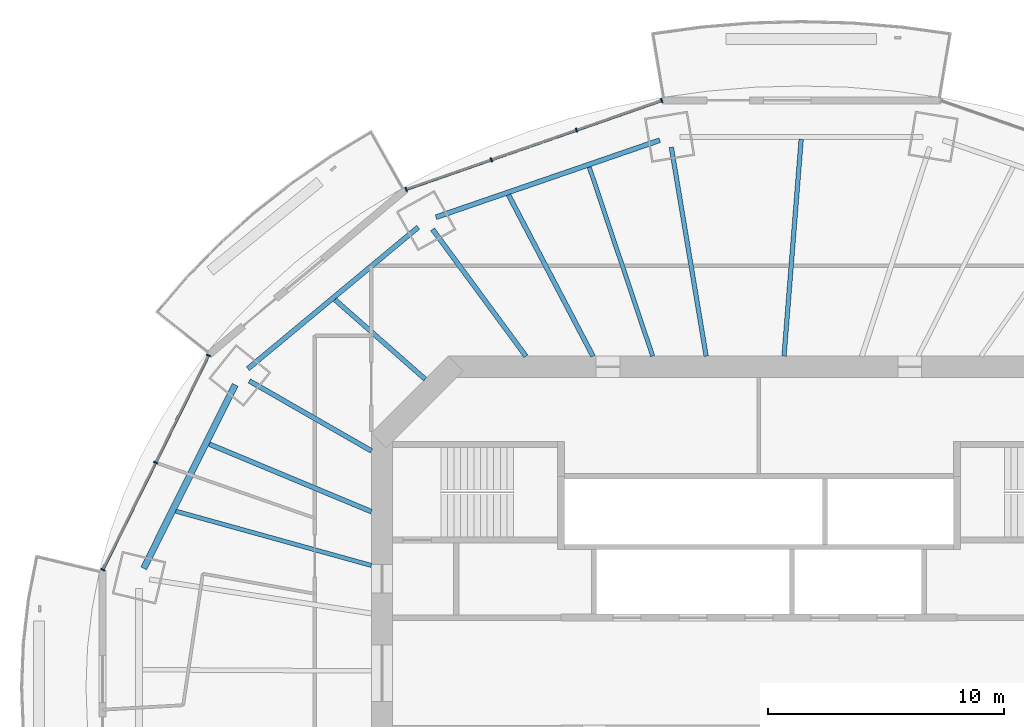
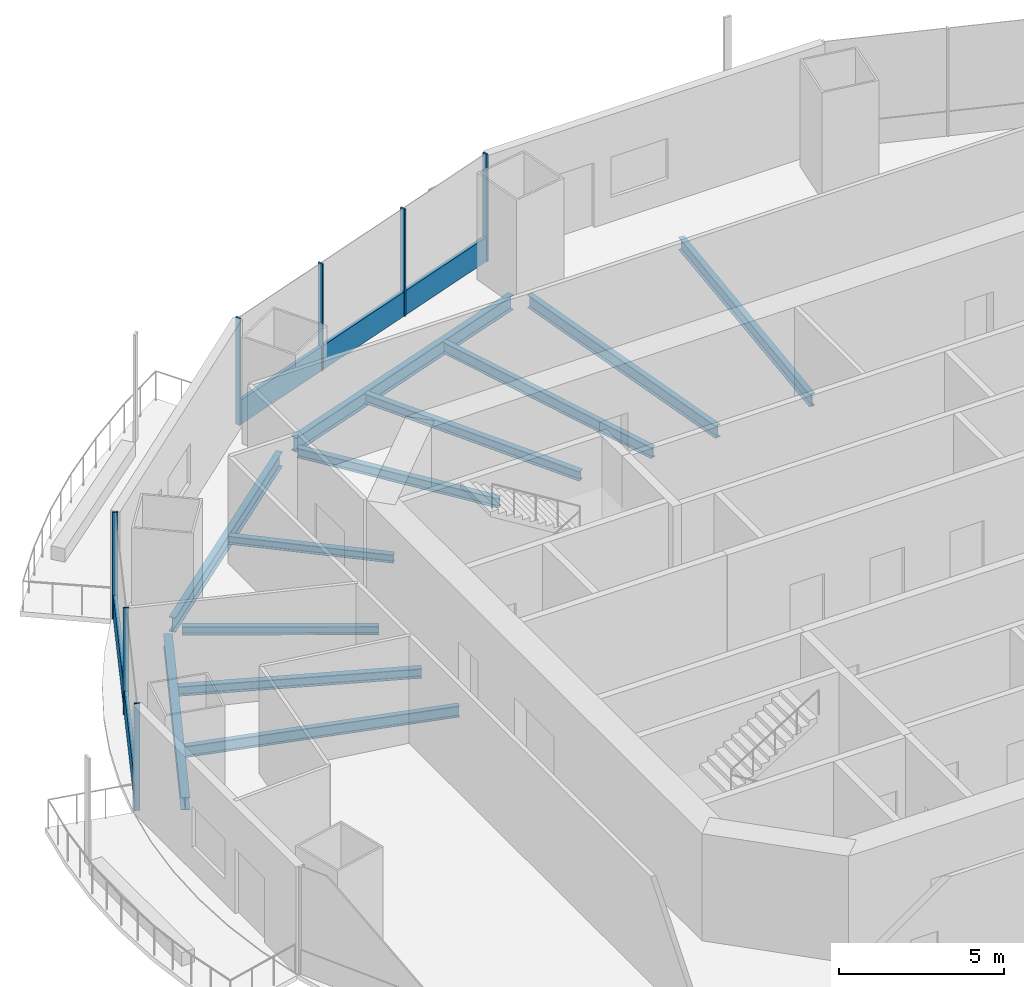
# One storey, part 6 of 19: 12 beams, 9 members, 2 elements without a shape of their own.
"""IFC4 building model written with IfcOpenShell, lengths in metres."""

from ifc_helpers import new_model, si_unit, direction, frame, origin, origin_2d, place, context, subcontext, project, spatial, rectangle, i_section, extrude, material, material_profile, profile_set, type_object, element, aggregate, save


model = new_model("IFC4")

# Units and contexts
model_context = context("Model", 3, precision=1e-05, world=origin(), true_north=direction((0.0, 1.0)))
body_context = subcontext(model_context, "Body", "Model", "MODEL_VIEW")
ifc_project = project(units=[si_unit("LENGTHUNIT", "METRE"), si_unit("AREAUNIT", "SQUARE_METRE"), si_unit("VOLUMEUNIT", "CUBIC_METRE"), si_unit("PLANEANGLEUNIT", "RADIAN"), si_unit("MASSUNIT", "GRAM", prefix="KILO")], contexts=[model_context])

# Site, building, storey
site_placement = place(None, origin())
site = spatial("IfcSite", under=ifc_project, at=site_placement, CompositionType="ELEMENT")
building_placement = place(site_placement, origin())
building = spatial("IfcBuilding", under=site, at=building_placement, Name="Marenthal Gate Tower", CompositionType="ELEMENT")
storey_placement = place(building_placement, frame((0.0, 0.0, 239.89990234375)))
storey = spatial("IfcBuildingStorey", under=building, at=storey_placement, Name="L53", CompositionType="ELEMENT", Elevation=239.89990234375)

# Curtain wall, members
ifc_material_1 = material(Name="Aluminium and glass", Category="aluminium")
curtain_wall_type = type_object("IfcCurtainWallType", Name="Curtain wall typical mid", PredefinedType="NOTDEFINED", material=ifc_material_1)
curtain_wall_1_placement = place(storey_placement, origin())
curtain_wall_1 = element("IfcCurtainWall", 1, at=curtain_wall_1_placement, inside=storey, type_object=curtain_wall_type, Name="Curtain wall L53 bay 5", PredefinedType="NOTDEFINED")
ifc_material_2 = material(Name="Aluminium", Category="aluminium")
ifc_material_profile_1 = material_profile(ifc_material_2, rectangle(XDim=0.179931640625, YDim=0.06005859375, at=origin_2d()), Name="60x180 aluminium mullion")
ifc_profile_set_1 = profile_set([ifc_material_profile_1], Name="Aluminium")
member_type_1 = type_object("IfcMemberType", Name="Mullion 60x180 typical mid", PredefinedType="MULLION", material=ifc_profile_set_1)
member_1_placement = place(storey_placement, frame((-4.12890625, 24.301025390625, 0.0), z_axis=(0.0, 0.0, 1.0), x_axis=(0.328540448732, -0.944489901241, 0.0)))
member_1 = element("IfcMember", 2, at=member_1_placement, type_object=member_type_1, Name="Mullion L53 bay 5.1", PredefinedType="MULLION", context=body_context, shape_type="SweptSolid", body=[
    extrude(rectangle(XDim=0.179931640625, YDim=0.06005859375, at=origin_2d()), origin(), (0.0, 0.0, 1.0), 3.97021484375),
])
member_2_placement = place(storey_placement, frame((-7.744140625, 23.04345703125, 0.0), z_axis=(0.0, 0.0, 1.0), x_axis=(0.328540448732, -0.944489901241, 0.0)))
member_2 = element("IfcMember", 3, at=member_2_placement, type_object=member_type_1, Name="Mullion L53 bay 5.2", PredefinedType="MULLION", context=body_context, shape_type="SweptSolid", body=[
    extrude(rectangle(XDim=0.179931640625, YDim=0.06005859375, at=origin_2d()), origin(), (0.0, 0.0, 1.0), 3.97021484375),
])
member_3_placement = place(storey_placement, frame((-11.359619140625, 21.785888671875, 0.0), z_axis=(0.0, 0.0, 1.0), x_axis=(0.328540448732, -0.944489901241, 0.0)))
member_3 = element("IfcMember", 4, at=member_3_placement, type_object=member_type_1, Name="Mullion L53 bay 5.3", PredefinedType="MULLION", context=body_context, shape_type="SweptSolid", body=[
    extrude(rectangle(XDim=0.179931640625, YDim=0.06005859375, at=origin_2d()), origin(), (0.0, 0.0, 1.0), 3.97021484375),
])
member_4_placement = place(storey_placement, frame((-14.974853515625, 20.5283203125, 0.0), z_axis=(0.0, 0.0, 1.0), x_axis=(0.328540448732, -0.944489901241, 0.0)))
member_4 = element("IfcMember", 5, at=member_4_placement, type_object=member_type_1, Name="Mullion L53 bay 5.4", PredefinedType="MULLION", context=body_context, shape_type="SweptSolid", body=[
    extrude(rectangle(XDim=0.179931640625, YDim=0.06005859375, at=origin_2d()), origin(), (0.0, 0.0, 1.0), 3.97021484375),
])

curtain_wall_2_placement = place(storey_placement, origin())
curtain_wall_2 = element("IfcCurtainWall", 6, at=curtain_wall_2_placement, inside=storey, type_object=curtain_wall_type, Name="Curtain wall L53 bay 7", PredefinedType="NOTDEFINED")
member_5_placement = place(storey_placement, frame((-23.361083984375, 13.48388671875, 0.0), z_axis=(0.0, 0.0, 1.0), x_axis=(0.896835471663, -0.442364258013, 0.0)))
member_5 = element("IfcMember", 7, at=member_5_placement, type_object=member_type_1, Name="Mullion L53 bay 7.1", PredefinedType="MULLION", context=body_context, shape_type="SweptSolid", body=[
    extrude(rectangle(XDim=0.179931640625, YDim=0.06005859375, at=origin_2d()), origin(), (0.0, 0.0, 1.0), 3.97021484375),
])
member_6_placement = place(storey_placement, frame((-25.60595703125, 8.93310546875, 0.0), z_axis=(0.0, 0.0, 1.0), x_axis=(0.896835471663, -0.442364258013, 0.0)))
member_6 = element("IfcMember", 8, at=member_6_placement, type_object=member_type_1, Name="Mullion L53 bay 7.2", PredefinedType="MULLION", context=body_context, shape_type="SweptSolid", body=[
    extrude(rectangle(XDim=0.179931640625, YDim=0.06005859375, at=origin_2d()), origin(), (0.0, 0.0, 1.0), 3.97021484375),
])
member_7_placement = place(storey_placement, frame((-27.8505859375, 4.382080078125, 0.0), z_axis=(0.0, 0.0, 1.0), x_axis=(0.896835471663, -0.442364258013, 0.0)))
member_7 = element("IfcMember", 9, at=member_7_placement, type_object=member_type_1, Name="Mullion L53 bay 7.3", PredefinedType="MULLION", context=body_context, shape_type="SweptSolid", body=[
    extrude(rectangle(XDim=0.179931640625, YDim=0.06005859375, at=origin_2d()), origin(), (0.0, 0.0, 1.0), 3.97021484375),
])

# Member
ifc_material_3 = material(Name="Aluminium", Category="aluminium")
ifc_material_profile_2 = material_profile(ifc_material_3, rectangle(XDim=0.1201171875, YDim=0.89990234375, at=origin_2d()), Name="120x900 aluminium transom")
ifc_profile_set_2 = profile_set([ifc_material_profile_2], Name="Aluminium")
member_type_2 = type_object("IfcMemberType", Name="Transom 120x900 typical mid", PredefinedType="USERDEFINED", material=ifc_profile_set_2)
member_8_placement = place(storey_placement, frame((-4.1572265625, 24.291259765625, 0.4501953125), z_axis=(-0.944486704993, -0.328549637179, 0.0), x_axis=(0.328549637179, -0.944486704993, 0.0)))
member_8 = element("IfcMember", 10, at=member_8_placement, type_object=member_type_2, Name="Transom L53 bay 5", ObjectType="TRANSOM", PredefinedType="USERDEFINED", context=body_context, shape_type="SweptSolid", body=[
    extrude(rectangle(XDim=0.1201171875, YDim=0.89990234375, at=origin_2d()), origin(), (0.0, 0.0, 1.0), 11.42333984375),
])

aggregate(curtain_wall_1, [member_1, member_2, member_3, member_4, member_8])

member_9_placement = place(storey_placement, frame((-23.374267578125, 13.45703125, 0.4501953125), z_axis=(-0.442377007868, -0.896829182682, 0.0), x_axis=(0.896829182682, -0.442377007868, 0.0)))
member_9 = element("IfcMember", 11, at=member_9_placement, type_object=member_type_2, Name="Transom L53 bay 7", ObjectType="TRANSOM", PredefinedType="USERDEFINED", context=body_context, shape_type="SweptSolid", body=[
    extrude(rectangle(XDim=0.1201171875, YDim=0.89990234375, at=origin_2d()), origin(), (0.0, 0.0, 1.0), 10.0888671875),
])

aggregate(curtain_wall_2, [member_5, member_6, member_7, member_9])

# Beams
ifc_material_4 = material(Name="Steel S355", Category="steel")
ifc_material_profile_3 = material_profile(ifc_material_4, i_section(OverallWidth=0.202880859375, OverallDepth=0.302001953125, WebThickness=0.007568359375, FlangeThickness=0.01318359375, FilletRadius=0.0126953125, at=origin_2d()), Name="W310X60")
ifc_profile_set_3 = profile_set([ifc_material_profile_3], Name="Steel S355")
beam_type_1 = type_object("IfcBeamType", Name="W310X60 beam", PredefinedType="BEAM", material=ifc_profile_set_3)
beam_1_placement = place(storey_placement, frame((-17.999267578125, 15.847900390625, -0.330810546875), z_axis=(0.750551397525, -0.660812075914, 0.0), x_axis=(0.660812075914, 0.750551397525, 0.0)))
element("IfcBeam", 12, at=beam_1_placement, inside=storey, type_object=beam_type_1, Name="BM-L53-25", PredefinedType="BEAM", context=body_context, shape_type="SweptSolid", body=[
    extrude(i_section(OverallWidth=0.202880859375, OverallDepth=0.302001953125, WebThickness=0.007568359375, FlangeThickness=0.01318359375, FilletRadius=0.0126953125, at=origin_2d()), origin(), (0.0, 0.0, 1.0), 5.109130859375),
])
ifc_material_5 = material(Name="Steel S355", Category="steel")
ifc_material_profile_4 = material_profile(ifc_material_5, i_section(OverallWidth=0.205078125, OverallDepth=0.31005859375, WebThickness=0.009521484375, FlangeThickness=0.016357421875, FilletRadius=0.0126953125, at=origin_2d()), Name="W310X74")
ifc_profile_set_4 = profile_set([ifc_material_profile_4], Name="Steel S355")
beam_type_2 = type_object("IfcBeamType", Name="W310X74 beam", PredefinedType="BEAM", material=ifc_profile_set_4)
beam_2_placement = place(storey_placement, frame((-21.633544921875, 12.4033203125, -0.3349609375), z_axis=(0.867530663758, -0.497383702427, 0.0), x_axis=(0.497383702427, 0.867530663758, 0.0)))
element("IfcBeam", 13, at=beam_2_placement, inside=storey, type_object=beam_type_2, Name="BM-L53-07", PredefinedType="BEAM", context=body_context, shape_type="SweptSolid", body=[
    extrude(i_section(OverallWidth=0.205078125, OverallDepth=0.31005859375, WebThickness=0.009521484375, FlangeThickness=0.016357421875, FilletRadius=0.0126953125, at=origin_2d()), origin(), (0.0, 0.0, 1.0), 5.97509765625),
])
ifc_material_6 = material(Name="Steel S355", Category="steel")
ifc_material_profile_5 = material_profile(ifc_material_6, i_section(OverallWidth=0.205078125, OverallDepth=0.35302734375, WebThickness=0.009521484375, FlangeThickness=0.016845703125, FilletRadius=0.014892578125, at=origin_2d()), Name="W360X79")
ifc_profile_set_5 = profile_set([ifc_material_profile_5], Name="Steel S355")
beam_type_3 = type_object("IfcBeamType", Name="W360X79 beam", PredefinedType="BEAM", material=ifc_profile_set_5)
beam_3_placement = place(storey_placement, frame((-13.854248046875, 18.836181640625, -0.3564453125), z_axis=(0.592507550431, -0.80556489663, 0.0), x_axis=(0.80556489663, 0.592507550431, 0.0)))
element("IfcBeam", 14, at=beam_3_placement, inside=storey, type_object=beam_type_3, Name="BM-L53-06", PredefinedType="BEAM", context=body_context, shape_type="SweptSolid", body=[
    extrude(i_section(OverallWidth=0.205078125, OverallDepth=0.35302734375, WebThickness=0.009521484375, FlangeThickness=0.016845703125, FilletRadius=0.014892578125, at=origin_2d()), origin(), (0.0, 0.0, 1.0), 6.686279296875),
])
beam_4_placement = place(storey_placement, frame((-10.63134765625, 20.29541015625, -0.3564453125), z_axis=(0.464029424014, -0.885819786215, 0.0), x_axis=(0.885819786215, 0.464029424014, 0.0)))
element("IfcBeam", 15, at=beam_4_placement, inside=storey, type_object=beam_type_3, Name="BM-L53-24", PredefinedType="BEAM", context=body_context, shape_type="SweptSolid", body=[
    extrude(i_section(OverallWidth=0.205078125, OverallDepth=0.35302734375, WebThickness=0.009521484375, FlangeThickness=0.016845703125, FilletRadius=0.014892578125, at=origin_2d()), origin(), (0.0, 0.0, 1.0), 7.727783203125),
])
beam_5_placement = place(storey_placement, frame((-23.331787109375, 9.71728515625, -0.3564453125), z_axis=(0.923146670425, -0.384447948209, 0.0), x_axis=(0.384447948209, 0.923146670425, 0.0)))
element("IfcBeam", 16, at=beam_5_placement, inside=storey, type_object=beam_type_3, Name="BM-L53-26", PredefinedType="BEAM", context=body_context, shape_type="SweptSolid", body=[
    extrude(i_section(OverallWidth=0.205078125, OverallDepth=0.35302734375, WebThickness=0.009521484375, FlangeThickness=0.016845703125, FilletRadius=0.014892578125, at=origin_2d()), origin(), (0.0, 0.0, 1.0), 7.454833984375),
])
ifc_material_7 = material(Name="Steel S355", Category="steel")
ifc_material_profile_6 = material_profile(ifc_material_7, i_section(OverallWidth=0.180908203125, OverallDepth=0.4169921875, WebThickness=0.010986328125, FlangeThickness=0.018310546875, FilletRadius=0.01025390625, at=origin_2d()), Name="W410X85")
ifc_profile_set_6 = profile_set([ifc_material_profile_6], Name="Steel S355")
beam_type_4 = type_object("IfcBeamType", Name="W410X85 beam", PredefinedType="BEAM", material=ifc_profile_set_6)
beam_6_placement = place(storey_placement, frame((-7.202880859375, 21.475341796875, -0.388427734375), z_axis=(0.317983705418, -0.948096178185, 0.0), x_axis=(0.948096178185, 0.317983705418, 0.0)))
element("IfcBeam", 17, at=beam_6_placement, inside=storey, type_object=beam_type_4, Name="BM-L53-23", PredefinedType="BEAM", context=body_context, shape_type="SweptSolid", body=[
    extrude(i_section(OverallWidth=0.180908203125, OverallDepth=0.4169921875, WebThickness=0.010986328125, FlangeThickness=0.018310546875, FilletRadius=0.01025390625, at=origin_2d()), origin(), (0.0, 0.0, 1.0), 8.46484375),
])
beam_7_placement = place(storey_placement, frame((-24.75048828125, 6.87109375, -0.388427734375), z_axis=(0.96355566058, -0.267507923181, 0.0), x_axis=(0.267507923181, 0.96355566058, 0.0)))
element("IfcBeam", 18, at=beam_7_placement, inside=storey, type_object=beam_type_4, Name="BM-L53-27", PredefinedType="BEAM", context=body_context, shape_type="SweptSolid", body=[
    extrude(i_section(OverallWidth=0.180908203125, OverallDepth=0.4169921875, WebThickness=0.010986328125, FlangeThickness=0.018310546875, FilletRadius=0.01025390625, at=origin_2d()), origin(), (0.0, 0.0, 1.0), 8.614501953125),
])
ifc_material_8 = material(Name="Steel S355", Category="steel")
ifc_material_profile_7 = material_profile(ifc_material_8, i_section(OverallWidth=0.279052734375, OverallDepth=0.4619140625, WebThickness=0.0107421875, FlangeThickness=0.017333984375, FilletRadius=0.010009765625, at=origin_2d()), Name="W460X113")
ifc_profile_set_7 = profile_set([ifc_material_profile_7], Name="Steel S355")
beam_type_5 = type_object("IfcBeamType", Name="W460X113 beam", PredefinedType="BEAM", material=ifc_profile_set_7)
beam_8_placement = place(storey_placement, frame((-22.2333984375, 12.2333984375, -0.410888671875), z_axis=(-0.446135404935, -0.894965474453, 0.0), x_axis=(0.894965474453, -0.446135404935, 0.0)))
element("IfcBeam", 19, at=beam_8_placement, inside=storey, type_object=beam_type_5, Name="BM-L53-47", PredefinedType="BEAM", context=body_context, shape_type="SweptSolid", body=[
    extrude(i_section(OverallWidth=0.279052734375, OverallDepth=0.4619140625, WebThickness=0.0107421875, FlangeThickness=0.017333984375, FilletRadius=0.010009765625, at=origin_2d()), origin(), (0.0, 0.0, 1.0), 8.69775390625),
])
ifc_material_9 = material(Name="Steel S355", Category="steel")
ifc_material_profile_8 = material_profile(ifc_material_9, i_section(OverallWidth=0.193115234375, OverallDepth=0.467041015625, WebThickness=0.011474609375, FlangeThickness=0.01904296875, FilletRadius=0.010009765625, at=origin_2d()), Name="W460X97")
ifc_profile_set_8 = profile_set([ifc_material_profile_8], Name="Steel S355")
beam_type_6 = type_object("IfcBeamType", Name="W460X97 beam", PredefinedType="BEAM", material=ifc_profile_set_8)
beam_9_placement = place(storey_placement, frame((-3.718505859375, 22.3173828125, -0.413330078125), z_axis=(0.164359351381, -0.986400529001, 0.0), x_axis=(0.986400529001, 0.164359351381, 0.0)))
element("IfcBeam", 20, at=beam_9_placement, inside=storey, type_object=beam_type_6, Name="BM-L53-05", PredefinedType="BEAM", context=body_context, shape_type="SweptSolid", body=[
    extrude(i_section(OverallWidth=0.193115234375, OverallDepth=0.467041015625, WebThickness=0.011474609375, FlangeThickness=0.01904296875, FilletRadius=0.010009765625, at=origin_2d()), origin(), (0.0, 0.0, 1.0), 8.98974609375),
])
beam_10_placement = place(storey_placement, frame((1.79150390625, 22.6552734375, -0.413330078125), z_axis=(-0.078815192608, -0.996889244307, 0.0), x_axis=(0.996889244307, -0.078815192608, 0.0)))
element("IfcBeam", 21, at=beam_10_placement, inside=storey, type_object=beam_type_6, Name="BM-L53-22", PredefinedType="BEAM", context=body_context, shape_type="SweptSolid", body=[
    extrude(i_section(OverallWidth=0.193115234375, OverallDepth=0.467041015625, WebThickness=0.011474609375, FlangeThickness=0.01904296875, FilletRadius=0.010009765625, at=origin_2d()), origin(), (0.0, 0.0, 1.0), 9.234130859375),
])
ifc_material_10 = material(Name="Steel S355", Category="steel")
ifc_material_profile_9 = material_profile(ifc_material_10, i_section(OverallWidth=0.2119140625, OverallDepth=0.5439453125, WebThickness=0.01318359375, FlangeThickness=0.021240234375, FilletRadius=0.0126953125, at=origin_2d()), Name="W530X123")
ifc_profile_set_9 = profile_set([ifc_material_profile_9], Name="Steel S355")
beam_type_7 = type_object("IfcBeamType", Name="W530X123 beam", PredefinedType="BEAM", material=ifc_profile_set_9)
beam_11_placement = place(storey_placement, frame((-4.20654296875, 22.61865234375, -0.451904296875), z_axis=(-0.945565649908, -0.325431408617, 0.0), x_axis=(0.325431408617, -0.945565649908, 0.0)))
element("IfcBeam", 22, at=beam_11_placement, inside=storey, type_object=beam_type_7, Name="BM-L53-45", PredefinedType="BEAM", context=body_context, shape_type="SweptSolid", body=[
    extrude(i_section(OverallWidth=0.2119140625, OverallDepth=0.5439453125, WebThickness=0.01318359375, FlangeThickness=0.021240234375, FilletRadius=0.0126953125, at=origin_2d()), origin(), (0.0, 0.0, 1.0), 10.050537109375),
])
beam_12_placement = place(storey_placement, frame((-14.46484375, 18.922607421875, -0.451904296875), z_axis=(-0.769136149311, -0.63908495822, 0.0), x_axis=(0.63908495822, -0.769136149311, 0.0)))
element("IfcBeam", 23, at=beam_12_placement, inside=storey, type_object=beam_type_7, Name="BM-L53-46", PredefinedType="BEAM", context=body_context, shape_type="SweptSolid", body=[
    extrude(i_section(OverallWidth=0.2119140625, OverallDepth=0.5439453125, WebThickness=0.01318359375, FlangeThickness=0.021240234375, FilletRadius=0.0126953125, at=origin_2d()), origin(), (0.0, 0.0, 1.0), 9.397705078125),
])

save(model, "model.ifc")
